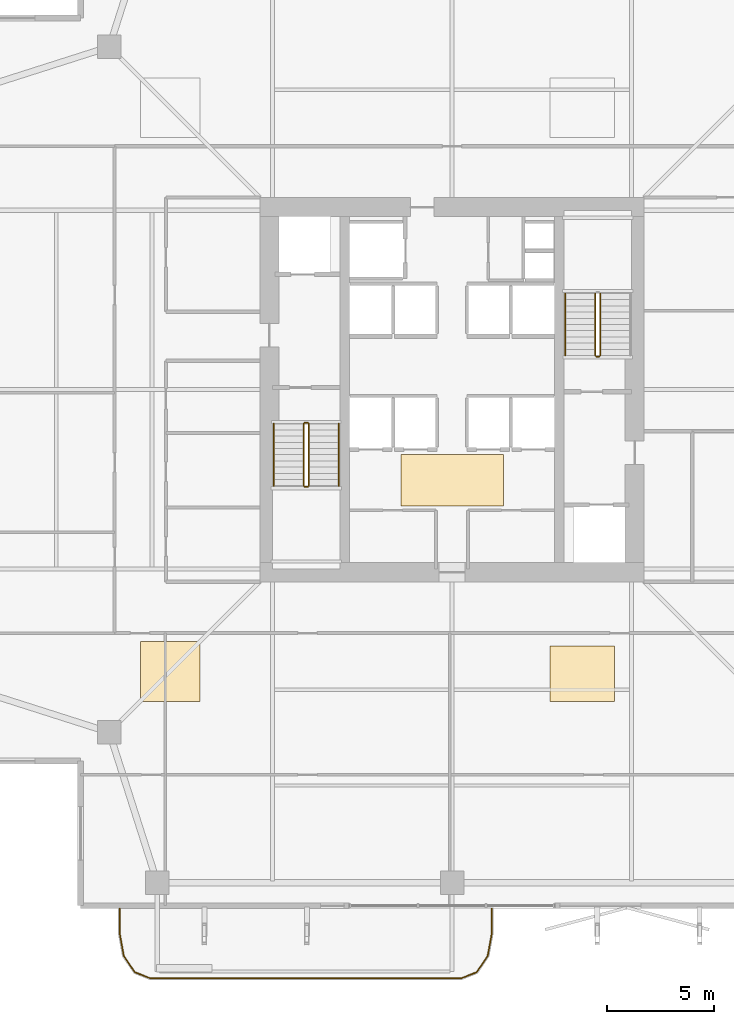
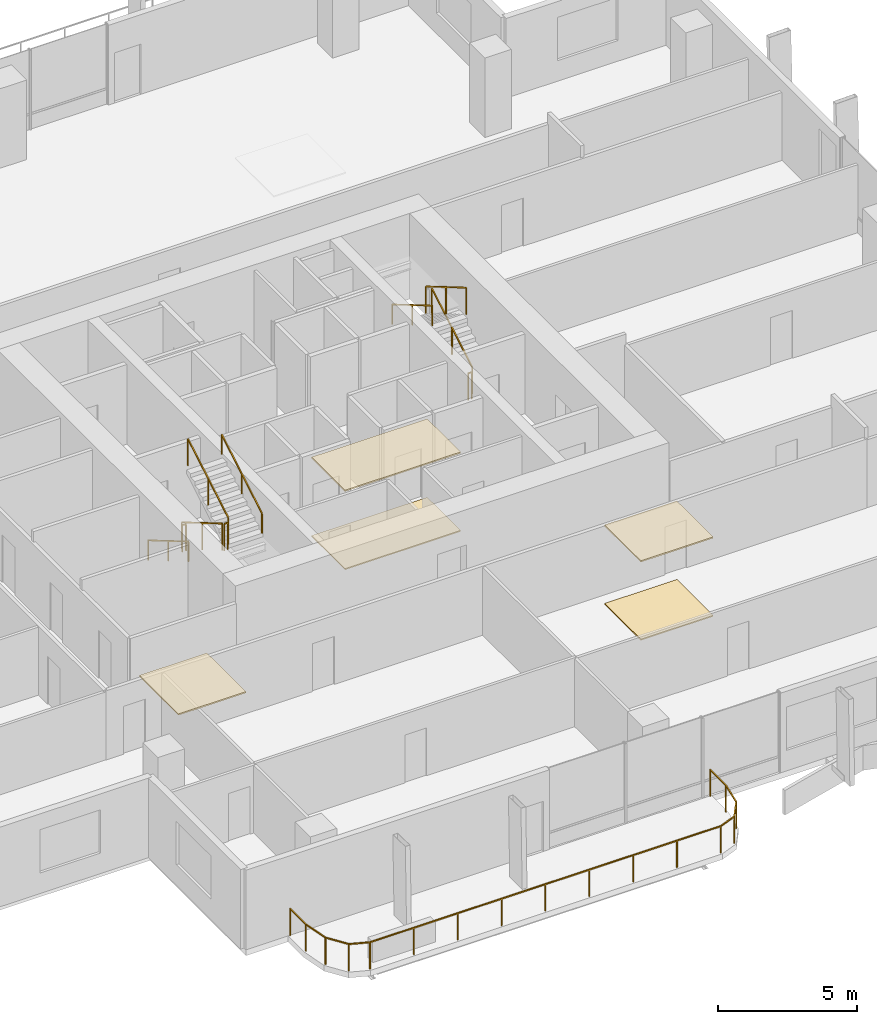
# One storey, part 23 of 25: 11 railings, 5 coverings.
"""IFC4 building model written with IfcOpenShell, lengths in metres."""

from ifc_helpers import new_model, si_unit, direction, frame, origin, origin_2d, place, context, subcontext, project, spatial, polyline, rectangle, outline, extrude, material, layer, layer_set, type_object, element, save


model = new_model("IFC4")

# Units and contexts
model_context = context("Model", 3, precision=1e-05, world=origin(), true_north=direction((0.0, 1.0)))
body_context = subcontext(model_context, "Body", "Model", "MODEL_VIEW")
ifc_project = project(units=[si_unit("LENGTHUNIT", "METRE"), si_unit("AREAUNIT", "SQUARE_METRE"), si_unit("VOLUMEUNIT", "CUBIC_METRE"), si_unit("PLANEANGLEUNIT", "RADIAN"), si_unit("MASSUNIT", "GRAM", prefix="KILO")], contexts=[model_context])

# Site, building, storey
site_placement = place(None, origin())
site = spatial("IfcSite", under=ifc_project, at=site_placement, CompositionType="ELEMENT")
building_placement = place(site_placement, origin())
building = spatial("IfcBuilding", under=site, at=building_placement, Name="Belovzor Exchange Tower", CompositionType="ELEMENT")
storey_placement = place(building_placement, frame((0.0, 0.0, 160.800048828125)))
storey = spatial("IfcBuildingStorey", under=building, at=storey_placement, Name="L39", CompositionType="ELEMENT", Elevation=160.800048828125)

# Railings
ifc_material_1 = material(Name="Stainless Steel Grade 304", Category="steel")
railing_type_1 = type_object("IfcRailingType", Name="Brushed Stainless Steel Stair Handrail 900", PredefinedType="HANDRAIL", material=ifc_material_1)
railing_1_placement = place(storey_placement, frame((20.449951171875, 27.199951171875, 0.17041015625)))
element("IfcRailing", 1, at=railing_1_placement, inside=storey, type_object=railing_type_1, Name="L39 ST-1 stair handrail 1", PredefinedType="HANDRAIL", context=body_context, shape_type="SweptSolid", body=[
    extrude(rectangle(XDim=0.048095703125, YDim=0.048095703125, at=origin_2d()), frame((0.0, 0.0, 0.8759765625), z_axis=(0.0, -0.86209462966, 0.506747323142), x_axis=(1.0, 0.0, 0.0)), (0.0, 0.0, 1.0), 3.36376953125),
    extrude(rectangle(XDim=0.0419921875, YDim=0.0419921875, at=origin_2d()), origin(), (0.0, 0.0, 1.0), 0.851806640625),
    extrude(rectangle(XDim=0.0419921875, YDim=0.0419921875, at=origin_2d()), frame((0.0, -1.449951171875, 0.852294921875)), (0.0, 0.0, 1.0), 0.851806640625),
    extrude(rectangle(XDim=0.0419921875, YDim=0.0419921875, at=origin_2d()), frame((0.0, -2.89990234375, 1.70458984375)), (0.0, 0.0, 1.0), 0.851806640625),
])
railing_2_placement = place(storey_placement, frame((23.5, 24.300048828125, 2.04541015625)))
element("IfcRailing", 2, at=railing_2_placement, inside=storey, type_object=railing_type_1, Name="L39 ST-1 stair handrail 2", PredefinedType="HANDRAIL", context=body_context, shape_type="SweptSolid", body=[
    extrude(rectangle(XDim=0.048095703125, YDim=0.048095703125, at=origin_2d()), frame((0.0, 0.0, 0.8759765625), z_axis=(0.0, 0.86209462966, 0.506747323142), x_axis=(-1.0, 0.0, 0.0)), (0.0, 0.0, 1.0), 3.36376953125),
    extrude(rectangle(XDim=0.0419921875, YDim=0.0419921875, at=origin_2d()), origin(), (0.0, 0.0, 1.0), 0.851806640625),
    extrude(rectangle(XDim=0.0419921875, YDim=0.0419921875, at=origin_2d()), frame((0.0, 1.449951171875, 0.852294921875)), (0.0, 0.0, 1.0), 0.851806640625),
    extrude(rectangle(XDim=0.0419921875, YDim=0.0419921875, at=origin_2d()), frame((0.0, 2.89990234375, 1.70458984375)), (0.0, 0.0, 1.0), 0.851806640625),
])
railing_3_placement = place(storey_placement, frame((34.10009765625, 33.300048828125, 2.04541015625)))
element("IfcRailing", 3, at=railing_3_placement, inside=storey, type_object=railing_type_1, Name="L39 ST-2 stair handrail 2", PredefinedType="HANDRAIL", context=body_context, shape_type="SweptSolid", body=[
    extrude(rectangle(XDim=0.048095703125, YDim=0.048095703125, at=origin_2d()), frame((0.0, 0.0, 0.8759765625), z_axis=(0.0, -0.862113265706, 0.506715617574), x_axis=(1.0, 0.0, 0.0)), (0.0, 0.0, 1.0), 3.364013671875),
    extrude(rectangle(XDim=0.0419921875, YDim=0.0419921875, at=origin_2d()), origin(), (0.0, 0.0, 1.0), 0.851806640625),
    extrude(rectangle(XDim=0.0419921875, YDim=0.0419921875, at=origin_2d()), frame((0.0, -1.4501953125, 0.852294921875)), (0.0, 0.0, 1.0), 0.851806640625),
    extrude(rectangle(XDim=0.0419921875, YDim=0.0419921875, at=origin_2d()), frame((0.0, -2.900146484375, 1.70458984375)), (0.0, 0.0, 1.0), 0.851806640625),
])
ifc_material_2 = material(Name="Stainless Steel and Laminated Safety Glass", Category="steel")
railing_type_2 = type_object("IfcRailingType", Name="Laminated Glass & Stainless Steel Balcony Balustrade 1200", PredefinedType="BALUSTRADE", material=ifc_material_2)
railing_4_placement = place(storey_placement, frame((13.22998046875, 4.489990234375, 0.0)))
element("IfcRailing", 4, at=railing_4_placement, inside=storey, type_object=railing_type_2, Name="GR-1 Balcony Balustrade L39 South", PredefinedType="BALUSTRADE", context=body_context, shape_type="SweptSolid", body=[
    extrude(rectangle(XDim=0.048095703125, YDim=0.048095703125, at=origin_2d()), frame((0.0, 0.0, 1.17578125), z_axis=(0.0, -1.0, 0.0), x_axis=(1.0, 0.0, 0.0)), (0.0, 0.0, 1.0), 1.133056640625),
    extrude(rectangle(XDim=0.048095703125, YDim=0.048095703125, at=origin_2d()), frame((0.0, -1.133056640625, 1.17578125), z_axis=(0.180122719713, -0.983644145941, 0.0), x_axis=(0.983644145941, 0.180122719713, 0.0)), (0.0, 0.0, 1.0), 1.09375),
    extrude(rectangle(XDim=0.048095703125, YDim=0.048095703125, at=origin_2d()), frame((0.197021484375, -2.208984375, 1.17578125), z_axis=(0.562768145367, -0.826614792125, 0.0), x_axis=(0.826614792125, 0.562768145367, 0.0)), (0.0, 0.0, 1.0), 0.9326171875),
    extrude(rectangle(XDim=0.048095703125, YDim=0.048095703125, at=origin_2d()), frame((0.721923828125, -2.97998046875, 1.17578125), z_axis=(0.930809580156, -0.365504480807, 0.0), x_axis=(0.365504480807, 0.930809580156, 0.0)), (0.0, 0.0, 1.0), 0.76611328125),
    extrude(rectangle(XDim=0.048095703125, YDim=0.048095703125, at=origin_2d()), frame((1.43505859375, -3.260009765625, 1.17578125), z_axis=(1.0, 0.0, 0.0), x_axis=(0.0, 1.0, 0.0)), (0.0, 0.0, 1.0), 14.570068359375),
    extrude(rectangle(XDim=0.048095703125, YDim=0.048095703125, at=origin_2d()), frame((16.005126953125, -3.260009765625, 1.17578125), z_axis=(0.930766990125, 0.365612923861, 0.0), x_axis=(-0.365612923861, 0.930766990125, 0.0)), (0.0, 0.0, 1.0), 0.765869140625),
    extrude(rectangle(XDim=0.048095703125, YDim=0.048095703125, at=origin_2d()), frame((16.718017578125, -2.97998046875, 1.17578125), z_axis=(0.562768145367, 0.826614792125, 0.0), x_axis=(-0.826614792125, 0.562768145367, 0.0)), (0.0, 0.0, 1.0), 0.9326171875),
    extrude(rectangle(XDim=0.048095703125, YDim=0.048095703125, at=origin_2d()), frame((17.242919921875, -2.208984375, 1.17578125), z_axis=(0.180122719713, 0.983644145941, 0.0), x_axis=(-0.983644145941, 0.180122719713, 0.0)), (0.0, 0.0, 1.0), 1.09375),
    extrude(rectangle(XDim=0.048095703125, YDim=0.048095703125, at=origin_2d()), frame((17.43994140625, -1.133056640625, 1.17578125), z_axis=(0.0, 1.0, 0.0), x_axis=(-1.0, 0.0, 0.0)), (0.0, 0.0, 1.0), 1.133056640625),
    extrude(rectangle(XDim=0.0419921875, YDim=0.0419921875, at=origin_2d()), origin(), (0.0, 0.0, 1.0), 1.15185546875),
    extrude(rectangle(XDim=0.0419921875, YDim=0.0419921875, at=origin_2d()), frame((0.0, -1.133056640625, 0.0)), (0.0, 0.0, 1.0), 1.15185546875),
    extrude(rectangle(XDim=0.0419921875, YDim=0.0419921875, at=origin_2d()), frame((0.197021484375, -2.208984375, 0.0)), (0.0, 0.0, 1.0), 1.15185546875),
    extrude(rectangle(XDim=0.0419921875, YDim=0.0419921875, at=origin_2d()), frame((0.721923828125, -2.97998046875, 0.0)), (0.0, 0.0, 1.0), 1.15185546875),
    extrude(rectangle(XDim=0.0419921875, YDim=0.0419921875, at=origin_2d()), frame((1.43505859375, -3.260009765625, 0.0)), (0.0, 0.0, 1.0), 1.15185546875),
    extrude(rectangle(XDim=0.0419921875, YDim=0.0419921875, at=origin_2d()), frame((3.25634765625, -3.260009765625, 0.0)), (0.0, 0.0, 1.0), 1.15185546875),
    extrude(rectangle(XDim=0.0419921875, YDim=0.0419921875, at=origin_2d()), frame((5.07763671875, -3.260009765625, 0.0)), (0.0, 0.0, 1.0), 1.15185546875),
    extrude(rectangle(XDim=0.0419921875, YDim=0.0419921875, at=origin_2d()), frame((6.89892578125, -3.260009765625, 0.0)), (0.0, 0.0, 1.0), 1.15185546875),
    extrude(rectangle(XDim=0.0419921875, YDim=0.0419921875, at=origin_2d()), frame((8.72021484375, -3.260009765625, 0.0)), (0.0, 0.0, 1.0), 1.15185546875),
    extrude(rectangle(XDim=0.0419921875, YDim=0.0419921875, at=origin_2d()), frame((10.541259765625, -3.260009765625, 0.0)), (0.0, 0.0, 1.0), 1.15185546875),
    extrude(rectangle(XDim=0.0419921875, YDim=0.0419921875, at=origin_2d()), frame((12.362548828125, -3.260009765625, 0.0)), (0.0, 0.0, 1.0), 1.15185546875),
    extrude(rectangle(XDim=0.0419921875, YDim=0.0419921875, at=origin_2d()), frame((14.183837890625, -3.260009765625, 0.0)), (0.0, 0.0, 1.0), 1.15185546875),
    extrude(rectangle(XDim=0.0419921875, YDim=0.0419921875, at=origin_2d()), frame((16.005126953125, -3.260009765625, 0.0)), (0.0, 0.0, 1.0), 1.15185546875),
    extrude(rectangle(XDim=0.0419921875, YDim=0.0419921875, at=origin_2d()), frame((16.718017578125, -2.97998046875, 0.0)), (0.0, 0.0, 1.0), 1.15185546875),
    extrude(rectangle(XDim=0.0419921875, YDim=0.0419921875, at=origin_2d()), frame((17.242919921875, -2.208984375, 0.0)), (0.0, 0.0, 1.0), 1.15185546875),
    extrude(rectangle(XDim=0.0419921875, YDim=0.0419921875, at=origin_2d()), frame((17.43994140625, -1.133056640625, 0.0)), (0.0, 0.0, 1.0), 1.15185546875),
    extrude(rectangle(XDim=0.0419921875, YDim=0.0419921875, at=origin_2d()), frame((17.43994140625, 0.0, 0.0)), (0.0, 0.0, 1.0), 1.15185546875),
])
ifc_material_3 = material(Name="Steel S355", Category="steel")
railing_type_3 = type_object("IfcRailingType", Name="Painted Steel Stairwell Guardrail 1200", PredefinedType="GUARDRAIL", material=ifc_material_3)
railing_5_placement = place(storey_placement, frame((21.85009765625, 27.199951171875, 0.17041015625)))
element("IfcRailing", 5, at=railing_5_placement, inside=storey, type_object=railing_type_3, Name="L39 ST-1 stair guard 1", PredefinedType="GUARDRAIL", context=body_context, shape_type="SweptSolid", body=[
    extrude(rectangle(XDim=0.048095703125, YDim=0.048095703125, at=origin_2d()), frame((0.0, 0.0, 1.17578125), z_axis=(0.0, -0.86209462966, 0.506747323142), x_axis=(1.0, 0.0, 0.0)), (0.0, 0.0, 1.0), 3.36376953125),
    extrude(rectangle(XDim=0.0419921875, YDim=0.0419921875, at=origin_2d()), origin(), (0.0, 0.0, 1.0), 1.15185546875),
    extrude(rectangle(XDim=0.0419921875, YDim=0.0419921875, at=origin_2d()), frame((0.0, -1.449951171875, 0.852294921875)), (0.0, 0.0, 1.0), 1.15185546875),
    extrude(rectangle(XDim=0.0419921875, YDim=0.0419921875, at=origin_2d()), frame((0.0, -2.89990234375, 1.70458984375)), (0.0, 0.0, 1.0), 1.15185546875),
])
railing_6_placement = place(storey_placement, frame((21.89990234375, 24.25, 1.875)))
element("IfcRailing", 6, at=railing_6_placement, inside=storey, type_object=railing_type_3, Name="L39 ST-1 stair guard 2", PredefinedType="GUARDRAIL", context=body_context, shape_type="SweptSolid", body=[
    extrude(rectangle(XDim=0.048095703125, YDim=0.048095703125, at=origin_2d()), frame((0.0, 0.0, 1.17578125), z_axis=(1.0, 0.0, 0.0), x_axis=(0.0, 1.0, 0.0)), (0.0, 0.0, 1.0), 0.150146484375),
    extrude(rectangle(XDim=0.0419921875, YDim=0.0419921875, at=origin_2d()), origin(), (0.0, 0.0, 1.0), 1.15185546875),
    extrude(rectangle(XDim=0.0419921875, YDim=0.0419921875, at=origin_2d()), frame((0.150146484375, 0.0, 0.0)), (0.0, 0.0, 1.0), 1.15185546875),
])
railing_7_placement = place(storey_placement, frame((22.10009765625, 24.300048828125, 2.04541015625)))
element("IfcRailing", 7, at=railing_7_placement, inside=storey, type_object=railing_type_3, Name="L39 ST-1 stair guard 3", PredefinedType="GUARDRAIL", context=body_context, shape_type="SweptSolid", body=[
    extrude(rectangle(XDim=0.048095703125, YDim=0.048095703125, at=origin_2d()), frame((0.0, 0.0, 1.17578125), z_axis=(0.0, 0.86209462966, 0.506747323142), x_axis=(-1.0, 0.0, 0.0)), (0.0, 0.0, 1.0), 3.36376953125),
    extrude(rectangle(XDim=0.0419921875, YDim=0.0419921875, at=origin_2d()), origin(), (0.0, 0.0, 1.0), 1.15185546875),
    extrude(rectangle(XDim=0.0419921875, YDim=0.0419921875, at=origin_2d()), frame((0.0, 1.449951171875, 0.852294921875)), (0.0, 0.0, 1.0), 1.15185546875),
    extrude(rectangle(XDim=0.0419921875, YDim=0.0419921875, at=origin_2d()), frame((0.0, 2.89990234375, 1.70458984375)), (0.0, 0.0, 1.0), 1.15185546875),
])
railing_8_placement = place(storey_placement, frame((21.89990234375, 27.25, 0.0)))
element("IfcRailing", 8, at=railing_8_placement, inside=storey, type_object=railing_type_3, Name="L39 ST-1 stair guard 4", PredefinedType="GUARDRAIL", context=body_context, shape_type="SweptSolid", body=[
    extrude(rectangle(XDim=0.048095703125, YDim=0.048095703125, at=origin_2d()), frame((0.0, 0.0, 1.17578125), z_axis=(1.0, 0.0, 0.0), x_axis=(0.0, 1.0, 0.0)), (0.0, 0.0, 1.0), 0.150146484375),
    extrude(rectangle(XDim=0.0419921875, YDim=0.0419921875, at=origin_2d()), origin(), (0.0, 0.0, 1.0), 1.15185546875),
    extrude(rectangle(XDim=0.0419921875, YDim=0.0419921875, at=origin_2d()), frame((0.150146484375, 0.0, 0.0)), (0.0, 0.0, 1.0), 1.15185546875),
])
railing_9_placement = place(storey_placement, frame((35.75, 30.39990234375, 0.17041015625)))
element("IfcRailing", 9, at=railing_9_placement, inside=storey, type_object=railing_type_3, Name="L39 ST-2 stair guard 1", PredefinedType="GUARDRAIL", context=body_context, shape_type="SweptSolid", body=[
    extrude(rectangle(XDim=0.048095703125, YDim=0.048095703125, at=origin_2d()), frame((0.0, 0.0, 1.17578125), z_axis=(0.0, 0.862113265706, 0.506715617574), x_axis=(-1.0, 0.0, 0.0)), (0.0, 0.0, 1.0), 3.364013671875),
    extrude(rectangle(XDim=0.0419921875, YDim=0.0419921875, at=origin_2d()), origin(), (0.0, 0.0, 1.0), 1.15185546875),
    extrude(rectangle(XDim=0.0419921875, YDim=0.0419921875, at=origin_2d()), frame((0.0, 1.4501953125, 0.852294921875)), (0.0, 0.0, 1.0), 1.15185546875),
    extrude(rectangle(XDim=0.0419921875, YDim=0.0419921875, at=origin_2d()), frame((0.0, 2.900146484375, 1.70458984375)), (0.0, 0.0, 1.0), 1.15185546875),
])
railing_10_placement = place(storey_placement, frame((35.5, 33.300048828125, 2.04541015625)))
element("IfcRailing", 10, at=railing_10_placement, inside=storey, type_object=railing_type_3, Name="L39 ST-2 stair guard 3", PredefinedType="GUARDRAIL", context=body_context, shape_type="SweptSolid", body=[
    extrude(rectangle(XDim=0.048095703125, YDim=0.048095703125, at=origin_2d()), frame((0.0, 0.0, 1.17578125), z_axis=(0.0, -0.862113265706, 0.506715617574), x_axis=(1.0, 0.0, 0.0)), (0.0, 0.0, 1.0), 3.364013671875),
    extrude(rectangle(XDim=0.0419921875, YDim=0.0419921875, at=origin_2d()), origin(), (0.0, 0.0, 1.0), 1.15185546875),
    extrude(rectangle(XDim=0.0419921875, YDim=0.0419921875, at=origin_2d()), frame((0.0, -1.4501953125, 0.852294921875)), (0.0, 0.0, 1.0), 1.15185546875),
    extrude(rectangle(XDim=0.0419921875, YDim=0.0419921875, at=origin_2d()), frame((0.0, -2.900146484375, 1.70458984375)), (0.0, 0.0, 1.0), 1.15185546875),
])
railing_11_placement = place(storey_placement, frame((35.699951171875, 30.35009765625, 0.0)))
element("IfcRailing", 11, at=railing_11_placement, inside=storey, type_object=railing_type_3, Name="L39 ST-2 stair guard 4", PredefinedType="GUARDRAIL", context=body_context, shape_type="SweptSolid", body=[
    extrude(rectangle(XDim=0.048095703125, YDim=0.048095703125, at=origin_2d()), frame((0.0, 0.0, 1.17578125), z_axis=(-1.0, 0.0, 0.0), x_axis=(0.0, -1.0, 0.0)), (0.0, 0.0, 1.0), 0.14990234375),
    extrude(rectangle(XDim=0.0419921875, YDim=0.0419921875, at=origin_2d()), origin(), (0.0, 0.0, 1.0), 1.15185546875),
    extrude(rectangle(XDim=0.0419921875, YDim=0.0419921875, at=origin_2d()), frame((-0.14990234375, 0.0, 0.0)), (0.0, 0.0, 1.0), 1.15185546875),
])

# Coverings
ifc_material_4 = material(Name="Perforated Powder-Coated Aluminium", Category="aluminium")
ifc_layer_1 = layer(ifc_material_4, 0.06005859375)
ifc_layer_set_1 = layer_set([ifc_layer_1], Name="Perforated Powder-Coated Aluminium")
covering_type_1 = type_object("IfcCoveringType", Name="Perforated Acoustic Metal Tile Suspended Ceiling 60", PredefinedType="CEILING", material=ifc_layer_set_1)
covering_1_placement = place(storey_placement, frame((0.0, 0.0, 3.43505859375)))
element("IfcCovering", 12, at=covering_1_placement, inside=storey, type_object=covering_type_1, Name="CLG-AC60 Suspended Ceiling CLG-L39-LOB", PredefinedType="CEILING", context=body_context, shape_type="SweptSolid", body=[
    extrude(outline(polyline([(26.39990234375, 23.35009765625), (31.199951171875, 23.35009765625), (31.199951171875, 25.75), (26.39990234375, 25.75), (26.39990234375, 23.35009765625)])), origin(), (0.0, 0.0, 1.0), 0.059814453125),
])
covering_2_placement = place(storey_placement, frame((0.0, 0.0, 3.43505859375)))
element("IfcCovering", 13, at=covering_2_placement, inside=storey, type_object=covering_type_1, Name="CLG-AC60 Suspended Ceiling CLG-L39-Z0", PredefinedType="CEILING", context=body_context, shape_type="SweptSolid", body=[
    extrude(outline(polyline([(14.199951171875, 14.199951171875), (17.0, 14.199951171875), (17.0, 17.0), (14.199951171875, 17.0), (14.199951171875, 14.199951171875)])), origin(), (0.0, 0.0, 1.0), 0.059814453125),
])
covering_3_placement = place(storey_placement, frame((0.0, 0.0, 3.43505859375)))
element("IfcCovering", 14, at=covering_3_placement, inside=storey, type_object=covering_type_1, Name="CLG-AC60 Suspended Ceiling CLG-L39-Z1", PredefinedType="CEILING", context=body_context, shape_type="SweptSolid", body=[
    extrude(outline(polyline([(33.39990234375, 14.199951171875), (36.39990234375, 14.199951171875), (36.39990234375, 16.800048828125), (33.39990234375, 16.800048828125), (33.39990234375, 14.199951171875)])), origin(), (0.0, 0.0, 1.0), 0.059814453125),
])
ifc_material_5 = material(Name="Polished Natural Granite Tile", Category="masonry")
ifc_layer_2 = layer(ifc_material_5, 0.050048828125)
ifc_layer_set_2 = layer_set([ifc_layer_2], Name="Polished Natural Granite Tile")
covering_type_2 = type_object("IfcCoveringType", Name="Polished Karelian Granite & Raised Access Floor Finish 50", PredefinedType="FLOORING", material=ifc_layer_set_2)
covering_4_placement = place(storey_placement, origin())
element("IfcCovering", 15, at=covering_4_placement, inside=storey, type_object=covering_type_2, Name="FLR-GR50 Floor Finish FLR-L39-LOB", PredefinedType="FLOORING", context=body_context, shape_type="SweptSolid", body=[
    extrude(outline(polyline([(26.39990234375, 23.35009765625), (31.199951171875, 23.35009765625), (31.199951171875, 25.75), (26.39990234375, 25.75), (26.39990234375, 23.35009765625)])), origin(), (0.0, 0.0, 1.0), 0.050048828125),
])
covering_5_placement = place(storey_placement, origin())
element("IfcCovering", 16, at=covering_5_placement, inside=storey, type_object=covering_type_2, Name="FLR-GR50 Floor Finish FLR-L39-Z1", PredefinedType="FLOORING", context=body_context, shape_type="SweptSolid", body=[
    extrude(outline(polyline([(33.39990234375, 14.199951171875), (36.39990234375, 14.199951171875), (36.39990234375, 16.800048828125), (33.39990234375, 16.800048828125), (33.39990234375, 14.199951171875)])), origin(), (0.0, 0.0, 1.0), 0.050048828125),
])

save(model, "model.ifc")
